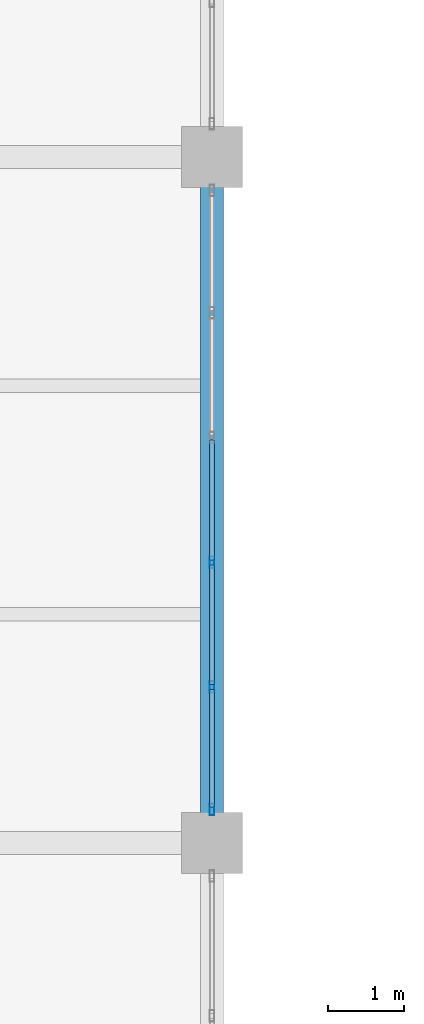
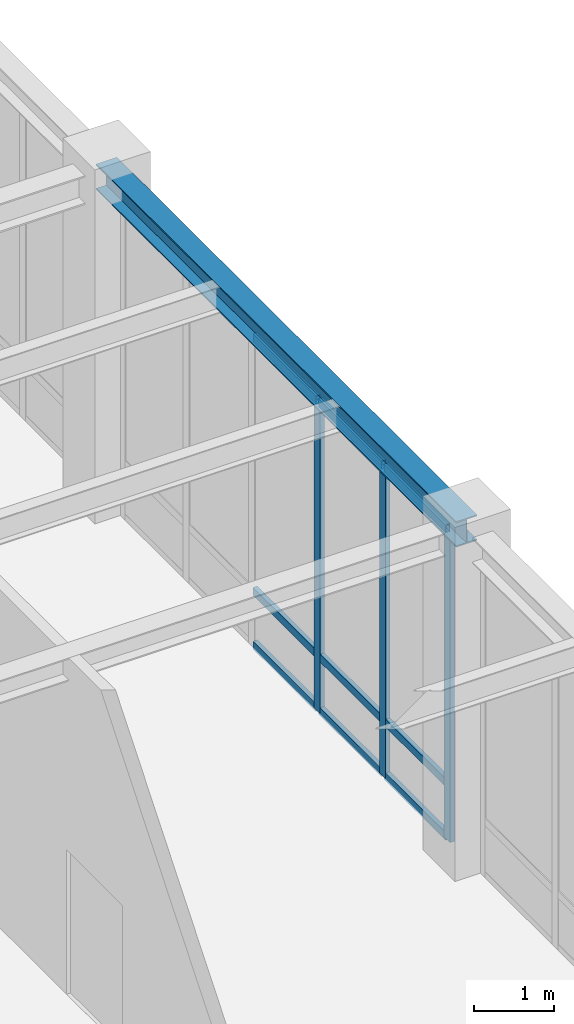
# One storey, part 18 of 77: 12 members, 1 beam, 1 element without a shape of its own.
"""IFC4 building model written with IfcOpenShell, lengths in metres."""

from ifc_helpers import new_model, si_unit, direction, frame, origin, origin_2d, place, context, subcontext, project, spatial, hollow_rectangle, i_section, extrude, material, material_profile, profile_set, type_object, element, aggregate, save


model = new_model("IFC4")

# Units and contexts
model_context = context("Model", 3, precision=1e-05, world=origin(), true_north=direction((0.0, 1.0)))
body_context = subcontext(model_context, "Body", "Model", "MODEL_VIEW")
ifc_project = project(units=[si_unit("LENGTHUNIT", "METRE"), si_unit("AREAUNIT", "SQUARE_METRE"), si_unit("VOLUMEUNIT", "CUBIC_METRE"), si_unit("PLANEANGLEUNIT", "RADIAN"), si_unit("MASSUNIT", "GRAM", prefix="KILO")], contexts=[model_context])

# Site, building, storey
site_placement = place(None, origin())
site = spatial("IfcSite", under=ifc_project, at=site_placement, CompositionType="ELEMENT")
building_placement = place(site_placement, origin())
building = spatial("IfcBuilding", under=site, at=building_placement, Name="Lykobir Media Centre", CompositionType="ELEMENT")
storey_placement = place(building_placement, origin())
storey = spatial("IfcBuildingStorey", under=building, at=storey_placement, Name="L00", CompositionType="ELEMENT", Elevation=0.0)

# Beam
ifc_material_1 = material(Name="Steel S355", Category="steel")
ifc_material_profile_1 = material_profile(ifc_material_1, i_section(OverallWidth=0.300048828125, OverallDepth=0.389892578125, WebThickness=0.010986328125, FlangeThickness=0.01904296875, at=origin_2d()), Name="HEA 400")
ifc_profile_set_1 = profile_set([ifc_material_profile_1], Name="Steel S355")
beam_type = type_object("IfcBeamType", Name="BM-HEA400", PredefinedType="BEAM", material=ifc_profile_set_1)
beam_placement = place(storey_placement, frame((36.0, 27.0, 4.965087890625), z_axis=(0.0, 1.0, 0.0), x_axis=(-1.0, 0.0, 0.0)))
element("IfcBeam", 1, at=beam_placement, inside=storey, type_object=beam_type, Name="Beam BM-L00-0360-0270-0360-0360-496", PredefinedType="BEAM", context=body_context, shape_type="SweptSolid", body=[
    extrude(i_section(OverallWidth=0.300048828125, OverallDepth=0.389892578125, WebThickness=0.010986328125, FlangeThickness=0.01904296875, at=origin_2d()), origin(), (0.0, 0.0, 1.0), 9.0),
])

# Curtain wall, members
ifc_material_2 = material(Name="Anodized Aluminium AW-6060", Category="aluminium")
curtain_wall_type = type_object("IfcCurtainWallType", Name="CW-COURT-A", PredefinedType="NOTDEFINED", material=ifc_material_2)
curtain_wall_placement = place(storey_placement, origin())
curtain_wall = element("IfcCurtainWall", 2, at=curtain_wall_placement, inside=storey, type_object=curtain_wall_type, Name="Curtain wall CW2-L00-0015", PredefinedType="NOTDEFINED")
ifc_material_profile_2 = material_profile(ifc_material_2, hollow_rectangle(XDim=0.06494140625, YDim=0.14990234375, WallThickness=0.00341796875, at=origin_2d()), Name="ALU MULLION 65x150")
ifc_profile_set_2 = profile_set([ifc_material_profile_2], Name="Anodized Aluminium AW-6060")
member_type_1 = type_object("IfcMemberType", Name="CWM-150", PredefinedType="MULLION", material=ifc_profile_set_2)
member_1_placement = place(storey_placement, frame((36.0, 30.680908203125, 0.0), z_axis=(0.0, 0.0, 1.0), x_axis=(1.0, 0.0, 0.0)))
member_1 = element("IfcMember", 3, at=member_1_placement, type_object=member_type_1, Name="CW2-L00-0015 mullion 4", PredefinedType="MULLION", context=body_context, shape_type="SweptSolid", body=[
    extrude(hollow_rectangle(XDim=0.06494140625, YDim=0.14990234375, WallThickness=0.00341796875, at=origin_2d()), origin(), (0.0, 0.0, 1.0), 4.7548828125),
])
member_2_placement = place(storey_placement, frame((36.0, 29.04296875, 0.0), z_axis=(0.0, 0.0, 1.0), x_axis=(1.0, 0.0, 0.0)))
member_2 = element("IfcMember", 4, at=member_2_placement, type_object=member_type_1, Name="CW2-L00-0015 mullion 5", PredefinedType="MULLION", context=body_context, shape_type="SweptSolid", body=[
    extrude(hollow_rectangle(XDim=0.06494140625, YDim=0.14990234375, WallThickness=0.00341796875, at=origin_2d()), origin(), (0.0, 0.0, 1.0), 4.7548828125),
])
member_3_placement = place(storey_placement, frame((36.0, 27.4375, 0.0), z_axis=(0.0, 0.0, 1.0), x_axis=(1.0, 0.0, 0.0)))
member_3 = element("IfcMember", 5, at=member_3_placement, type_object=member_type_1, Name="CW2-L00-0015 mullion 6", PredefinedType="MULLION", context=body_context, shape_type="SweptSolid", body=[
    extrude(hollow_rectangle(XDim=0.06494140625, YDim=0.14990234375, WallThickness=0.00341796875, at=origin_2d()), origin(), (0.0, 0.0, 1.0), 4.7548828125),
])
ifc_material_profile_3 = material_profile(ifc_material_2, hollow_rectangle(XDim=0.06494140625, YDim=0.1201171875, WallThickness=0.0029296875, at=origin_2d()), Name="ALU TRANSOM 65x120")
ifc_profile_set_3 = profile_set([ifc_material_profile_3], Name="Anodized Aluminium AW-6060")
member_type_2 = type_object("IfcMemberType", Name="CWT-120", PredefinedType="USERDEFINED", material=ifc_profile_set_3)
member_4_placement = place(storey_placement, frame((36.0, 32.28662109375, 0.032470703125), z_axis=(0.0, -1.0, 0.0), x_axis=(1.0, 0.0, 0.0)))
member_4 = element("IfcMember", 6, at=member_4_placement, type_object=member_type_2, Name="CW2-L00-0015 transom 3.1", ObjectType="TRANSOM", PredefinedType="USERDEFINED", context=body_context, shape_type="SweptSolid", body=[
    extrude(hollow_rectangle(XDim=0.06494140625, YDim=0.1201171875, WallThickness=0.0029296875, at=origin_2d()), origin(), (0.0, 0.0, 1.0), 1.5732421875),
])
member_5_placement = place(storey_placement, frame((36.0, 32.28662109375, 0.85009765625), z_axis=(0.0, -1.0, 0.0), x_axis=(1.0, 0.0, 0.0)))
member_5 = element("IfcMember", 7, at=member_5_placement, type_object=member_type_2, Name="CW2-L00-0015 transom 3.2", ObjectType="TRANSOM", PredefinedType="USERDEFINED", context=body_context, shape_type="SweptSolid", body=[
    extrude(hollow_rectangle(XDim=0.06494140625, YDim=0.1201171875, WallThickness=0.0029296875, at=origin_2d()), origin(), (0.0, 0.0, 1.0), 1.5732421875),
])
member_6_placement = place(storey_placement, frame((36.0, 32.28662109375, 4.722412109375), z_axis=(0.0, -1.0, 0.0), x_axis=(1.0, 0.0, 0.0)))
member_6 = element("IfcMember", 8, at=member_6_placement, type_object=member_type_2, Name="CW2-L00-0015 transom 3.3", ObjectType="TRANSOM", PredefinedType="USERDEFINED", context=body_context, shape_type="SweptSolid", body=[
    extrude(hollow_rectangle(XDim=0.06494140625, YDim=0.1201171875, WallThickness=0.0029296875, at=origin_2d()), origin(), (0.0, 0.0, 1.0), 1.5732421875),
])
member_7_placement = place(storey_placement, frame((36.0, 30.6484375, 0.032470703125), z_axis=(0.0, -1.0, 0.0), x_axis=(1.0, 0.0, 0.0)))
member_7 = element("IfcMember", 9, at=member_7_placement, type_object=member_type_2, Name="CW2-L00-0015 transom 4.1", ObjectType="TRANSOM", PredefinedType="USERDEFINED", context=body_context, shape_type="SweptSolid", body=[
    extrude(hollow_rectangle(XDim=0.06494140625, YDim=0.1201171875, WallThickness=0.0029296875, at=origin_2d()), origin(), (0.0, 0.0, 1.0), 1.572998046875),
])
member_8_placement = place(storey_placement, frame((36.0, 30.6484375, 0.85009765625), z_axis=(0.0, -1.0, 0.0), x_axis=(1.0, 0.0, 0.0)))
member_8 = element("IfcMember", 10, at=member_8_placement, type_object=member_type_2, Name="CW2-L00-0015 transom 4.2", ObjectType="TRANSOM", PredefinedType="USERDEFINED", context=body_context, shape_type="SweptSolid", body=[
    extrude(hollow_rectangle(XDim=0.06494140625, YDim=0.1201171875, WallThickness=0.0029296875, at=origin_2d()), origin(), (0.0, 0.0, 1.0), 1.572998046875),
])
member_9_placement = place(storey_placement, frame((36.0, 30.6484375, 4.722412109375), z_axis=(0.0, -1.0, 0.0), x_axis=(1.0, 0.0, 0.0)))
member_9 = element("IfcMember", 11, at=member_9_placement, type_object=member_type_2, Name="CW2-L00-0015 transom 4.3", ObjectType="TRANSOM", PredefinedType="USERDEFINED", context=body_context, shape_type="SweptSolid", body=[
    extrude(hollow_rectangle(XDim=0.06494140625, YDim=0.1201171875, WallThickness=0.0029296875, at=origin_2d()), origin(), (0.0, 0.0, 1.0), 1.572998046875),
])
member_10_placement = place(storey_placement, frame((36.0, 29.010498046875, 0.032470703125), z_axis=(0.0, -1.0, 0.0), x_axis=(1.0, 0.0, 0.0)))
member_10 = element("IfcMember", 12, at=member_10_placement, type_object=member_type_2, Name="CW2-L00-0015 transom 5.1", ObjectType="TRANSOM", PredefinedType="USERDEFINED", context=body_context, shape_type="SweptSolid", body=[
    extrude(hollow_rectangle(XDim=0.06494140625, YDim=0.1201171875, WallThickness=0.0029296875, at=origin_2d()), origin(), (0.0, 0.0, 1.0), 1.54052734375),
])
member_11_placement = place(storey_placement, frame((36.0, 29.010498046875, 0.85009765625), z_axis=(0.0, -1.0, 0.0), x_axis=(1.0, 0.0, 0.0)))
member_11 = element("IfcMember", 13, at=member_11_placement, type_object=member_type_2, Name="CW2-L00-0015 transom 5.2", ObjectType="TRANSOM", PredefinedType="USERDEFINED", context=body_context, shape_type="SweptSolid", body=[
    extrude(hollow_rectangle(XDim=0.06494140625, YDim=0.1201171875, WallThickness=0.0029296875, at=origin_2d()), origin(), (0.0, 0.0, 1.0), 1.54052734375),
])
member_12_placement = place(storey_placement, frame((36.0, 29.010498046875, 4.722412109375), z_axis=(0.0, -1.0, 0.0), x_axis=(1.0, 0.0, 0.0)))
member_12 = element("IfcMember", 14, at=member_12_placement, type_object=member_type_2, Name="CW2-L00-0015 transom 5.3", ObjectType="TRANSOM", PredefinedType="USERDEFINED", context=body_context, shape_type="SweptSolid", body=[
    extrude(hollow_rectangle(XDim=0.06494140625, YDim=0.1201171875, WallThickness=0.0029296875, at=origin_2d()), origin(), (0.0, 0.0, 1.0), 1.54052734375),
])
aggregate(curtain_wall, [member_1, member_2, member_3, member_4, member_5, member_6, member_7, member_8, member_9, member_10, member_11, member_12])

save(model, "model.ifc")
